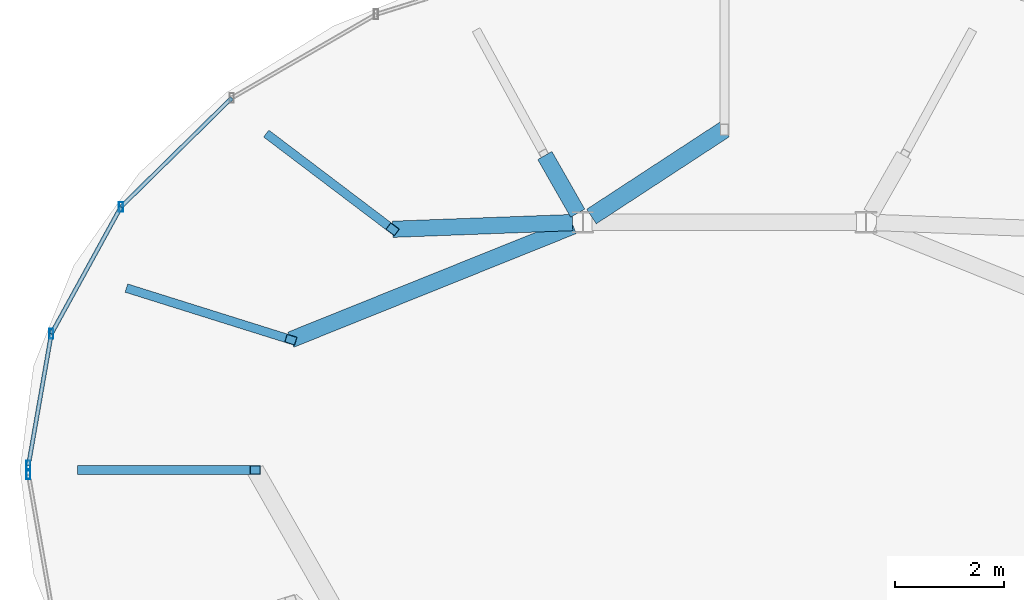
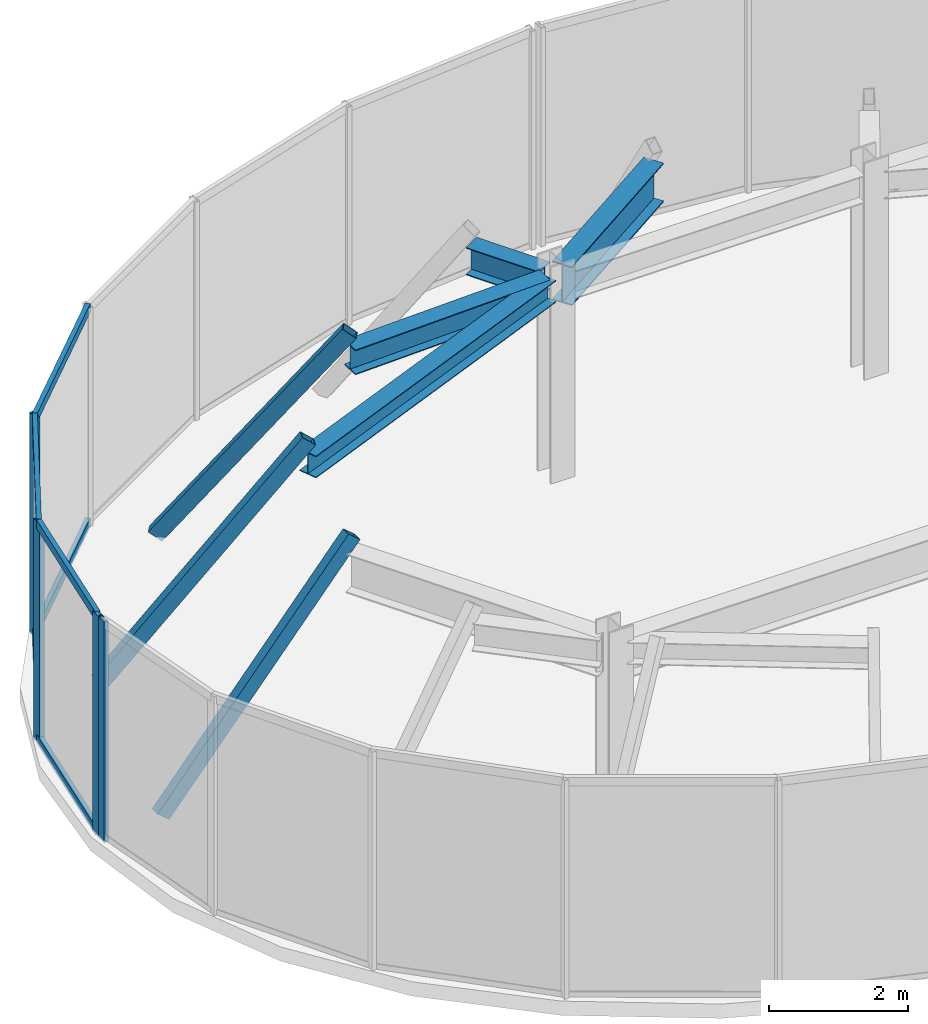
# One storey, part 4 of 10: 13 members, 4 beams, 2 elements without a shape of their own.
"""IFC4 building model written with IfcOpenShell, lengths in metres."""

from ifc_helpers import new_model, si_unit, direction, frame, origin, origin_2d, place, context, subcontext, project, spatial, hollow_rectangle, i_section, extrude, material, material_profile, profile_set, type_object, element, aggregate, save


model = new_model("IFC4")

# Units and contexts
model_context = context("Model", 3, precision=1e-05, world=origin(), true_north=direction((0.0, 1.0)))
body_context = subcontext(model_context, "Body", "Model", "MODEL_VIEW")
ifc_project = project(units=[si_unit("LENGTHUNIT", "METRE"), si_unit("AREAUNIT", "SQUARE_METRE"), si_unit("VOLUMEUNIT", "CUBIC_METRE"), si_unit("PLANEANGLEUNIT", "RADIAN"), si_unit("MASSUNIT", "GRAM", prefix="KILO")], contexts=[model_context])

# Site, building, storey
site_placement = place(None, origin())
site = spatial("IfcSite", under=ifc_project, at=site_placement, CompositionType="ELEMENT")
building_placement = place(site_placement, origin())
building = spatial("IfcBuilding", under=site, at=building_placement, Name="Vorneva Point Tower", CompositionType="ELEMENT")
storey_placement = place(building_placement, frame((0.0, 0.0, 306.800048828125)))
storey = spatial("IfcBuildingStorey", under=building, at=storey_placement, Name="C04", CompositionType="ELEMENT", Elevation=306.800048828125)

# Beams
ifc_material_1 = material(Name="Steel S355", Category="steel")
ifc_material_profile_1 = material_profile(ifc_material_1, i_section(OverallWidth=0.299072265625, OverallDepth=0.383056640625, WebThickness=0.009521484375, FlangeThickness=0.012451171875, at=origin_2d()), Name="40Sh1")
ifc_profile_set_1 = profile_set([ifc_material_profile_1], Name="Steel S355")
beam_type_1 = type_object("IfcBeamType", Name="BM-GRD-40Sh1", PredefinedType="USERDEFINED", material=ifc_profile_set_1)
beam_1_placement = place(storey_placement, frame((30.0380859375, 28.391845703125, 3.3583984375), z_axis=(0.92767633151, 0.373385355842, 0.0), x_axis=(-0.373385355842, 0.92767633151, 0.0)))
element("IfcBeam", 1, at=beam_1_placement, inside=storey, type_object=beam_type_1, Name="C04 Radial Primary Girder 08", ObjectType="GIRDER", PredefinedType="USERDEFINED", context=body_context, shape_type="SweptSolid", body=[
    extrude(i_section(OverallWidth=0.299072265625, OverallDepth=0.383056640625, WebThickness=0.009521484375, FlangeThickness=0.012451171875, at=origin_2d()), origin(), (0.0, 0.0, 1.0), 5.58984375),
])
ifc_material_profile_2 = material_profile(ifc_material_1, i_section(OverallWidth=0.299072265625, OverallDepth=0.43505859375, WebThickness=0.010498046875, FlangeThickness=0.014892578125, at=origin_2d()), Name="45Sh1")
ifc_profile_set_2 = profile_set([ifc_material_profile_2], Name="Steel S355")
beam_type_2 = type_object("IfcBeamType", Name="BM-GRD-45Sh1", PredefinedType="USERDEFINED", material=ifc_profile_set_2)
beam_2_placement = place(storey_placement, frame((31.90625, 30.41943359375, 3.33251953125), z_axis=(0.999301722896, 0.03736397486, 0.0), x_axis=(-0.03736397486, 0.999301722896, 0.0)))
element("IfcBeam", 2, at=beam_2_placement, inside=storey, type_object=beam_type_2, Name="C04 Radial Primary Girder 07", ObjectType="GIRDER", PredefinedType="USERDEFINED", context=body_context, shape_type="SweptSolid", body=[
    extrude(i_section(OverallWidth=0.299072265625, OverallDepth=0.43505859375, WebThickness=0.010498046875, FlangeThickness=0.014892578125, at=origin_2d()), origin(), (0.0, 0.0, 1.0), 3.30615234375),
])
ifc_material_profile_3 = material_profile(ifc_material_1, i_section(OverallWidth=0.300048828125, OverallDepth=0.48193359375, WebThickness=0.010986328125, FlangeThickness=0.014892578125, at=origin_2d()), Name="50Sh1")
ifc_profile_set_3 = profile_set([ifc_material_profile_3], Name="Steel S355")
beam_type_3 = type_object("IfcBeamType", Name="BM-GRD-50Sh1", PredefinedType="USERDEFINED", material=ifc_profile_set_3)
beam_3_placement = place(storey_placement, frame((34.701904296875, 31.774169921875, 3.308837890625), z_axis=(0.49540555753, -0.86866180621, 0.0), x_axis=(0.86866180621, 0.49540555753, 0.0)))
element("IfcBeam", 3, at=beam_3_placement, inside=storey, type_object=beam_type_3, Name="C04 Radial Primary Girder 06", ObjectType="GIRDER", PredefinedType="USERDEFINED", context=body_context, shape_type="SweptSolid", body=[
    extrude(i_section(OverallWidth=0.300048828125, OverallDepth=0.48193359375, WebThickness=0.010986328125, FlangeThickness=0.014892578125, at=origin_2d()), origin(), (0.0, 0.0, 1.0), 1.21923828125),
])
ifc_material_profile_4 = material_profile(ifc_material_1, i_section(OverallWidth=0.320068359375, OverallDepth=0.68310546875, WebThickness=0.012939453125, FlangeThickness=0.01904296875, at=origin_2d()), Name="70Sh1")
ifc_profile_set_4 = profile_set([ifc_material_profile_4], Name="Steel S355")
beam_type_4 = type_object("IfcBeamType", Name="BM-GRD-70Sh1", PredefinedType="USERDEFINED", material=ifc_profile_set_4)
beam_4_placement = place(storey_placement, frame((38.0, 32.25, 3.20849609375), z_axis=(-0.836975512963, -0.547240340892, 0.0), x_axis=(0.547240340892, -0.836975512963, 0.0)))
element("IfcBeam", 4, at=beam_4_placement, inside=storey, type_object=beam_type_4, Name="C04 Radial Primary Girder 05", ObjectType="GIRDER", PredefinedType="USERDEFINED", context=body_context, shape_type="SweptSolid", body=[
    extrude(i_section(OverallWidth=0.320068359375, OverallDepth=0.68310546875, WebThickness=0.012939453125, FlangeThickness=0.01904296875, at=origin_2d()), origin(), (0.0, 0.0, 1.0), 2.916259765625),
])

# Curtain wall, members
ifc_material_2 = material(Name="Pale anodised aluminium", Category="aluminium")
curtain_wall_type = type_object("IfcCurtainWallType", Name="CW-CRN-SYS", PredefinedType="NOTDEFINED", material=ifc_material_2)
curtain_wall_1_placement = place(storey_placement, origin())
curtain_wall_1 = element("IfcCurtainWall", 5, at=curtain_wall_1_placement, inside=storey, type_object=curtain_wall_type, Name="C04 Unitised Curtain Wall CW-C04-Q2", PredefinedType="NOTDEFINED")
ifc_material_profile_5 = material_profile(ifc_material_2, hollow_rectangle(XDim=0.074951171875, YDim=0.179931640625, WallThickness=0.00390625, at=origin_2d()), Name="AL-MUL 180x75x4")
ifc_profile_set_5 = profile_set([ifc_material_profile_5], Name="Pale anodised aluminium")
member_type_1 = type_object("IfcMemberType", Name="CW-MUL-180", PredefinedType="MULLION", material=ifc_profile_set_5)
member_1_placement = place(storey_placement, frame((26.918212890625, 30.830078125, -0.0400390625), z_axis=(0.0, 0.0, 1.0), x_axis=(1.0, 0.0, 0.0)))
member_1 = element("IfcMember", 6, at=member_1_placement, type_object=member_type_1, Name="CW-C04-Q2 Mullion 05", PredefinedType="MULLION", context=body_context, shape_type="SweptSolid", body=[
    extrude(hollow_rectangle(XDim=0.074951171875, YDim=0.179931640625, WallThickness=0.00390625, at=origin_2d()), origin(), (0.0, 0.0, 1.0), 3.869873046875),
])
member_2_placement = place(storey_placement, frame((25.639892578125, 28.500244140625, -0.0400390625), z_axis=(0.0, 0.0, 1.0), x_axis=(1.0, 0.0, 0.0)))
member_2 = element("IfcMember", 7, at=member_2_placement, type_object=member_type_1, Name="CW-C04-Q2 Mullion 06", PredefinedType="MULLION", context=body_context, shape_type="SweptSolid", body=[
    extrude(hollow_rectangle(XDim=0.074951171875, YDim=0.179931640625, WallThickness=0.00390625, at=origin_2d()), origin(), (0.0, 0.0, 1.0), 3.869873046875),
])
member_3_placement = place(storey_placement, frame((25.2177734375, 26.078857421875, -0.0400390625), z_axis=(0.0, 0.0, 1.0), x_axis=(1.0, 0.0, 0.0)))
member_3 = element("IfcMember", 8, at=member_3_placement, type_object=member_type_1, Name="CW-C04-Q2 Mullion 07", PredefinedType="MULLION", context=body_context, shape_type="SweptSolid", body=[
    extrude(hollow_rectangle(XDim=0.074951171875, YDim=0.179931640625, WallThickness=0.00390625, at=origin_2d()), origin(), (0.0, 0.0, 1.0), 3.869873046875),
])

# Curtain wall, member
curtain_wall_2_placement = place(storey_placement, origin())
curtain_wall_2 = element("IfcCurtainWall", 9, at=curtain_wall_2_placement, inside=storey, type_object=curtain_wall_type, Name="C04 Unitised Curtain Wall CW-C04-Q3", PredefinedType="NOTDEFINED")
member_4_placement = place(storey_placement, frame((25.2177734375, 25.921142578125, -0.0400390625), z_axis=(0.0, 0.0, 1.0), x_axis=(1.0, 0.0, 0.0)))
member_4 = element("IfcMember", 10, at=member_4_placement, type_object=member_type_1, Name="CW-C04-Q3 Mullion 01", PredefinedType="MULLION", context=body_context, shape_type="SweptSolid", body=[
    extrude(hollow_rectangle(XDim=0.074951171875, YDim=0.179931640625, WallThickness=0.00390625, at=origin_2d()), origin(), (0.0, 0.0, 1.0), 3.869873046875),
])
aggregate(curtain_wall_2, [member_4])

# Member
ifc_material_profile_6 = material_profile(ifc_material_2, hollow_rectangle(XDim=0.074951171875, YDim=0.14990234375, WallThickness=0.00390625, at=origin_2d()), Name="AL-TRN 150x75x4")
ifc_profile_set_6 = profile_set([ifc_material_profile_6], Name="Pale anodised aluminium")
member_type_2 = type_object("IfcMemberType", Name="CW-TRN-150", PredefinedType="USERDEFINED", material=ifc_profile_set_6)
member_5_placement = place(storey_placement, frame((28.951904296875, 32.830810546875, 0.02001953125), z_axis=(-0.712859660138, -0.701306712465, 0.0), x_axis=(0.701306712465, -0.712859660138, 0.0)))
member_5 = element("IfcMember", 11, at=member_5_placement, type_object=member_type_2, Name="CW-C04-Q2 Transom 04.1", ObjectType="TRANSOM", PredefinedType="USERDEFINED", context=body_context, shape_type="SweptSolid", body=[
    extrude(hollow_rectangle(XDim=0.074951171875, YDim=0.14990234375, WallThickness=0.00390625, at=origin_2d()), origin(), (0.0, 0.0, 1.0), 2.852783203125),
])

member_6_placement = place(storey_placement, frame((28.951904296875, 32.830810546875, 3.780029296875), z_axis=(-0.712859660138, -0.701306712465, 0.0), x_axis=(0.701306712465, -0.712859660138, 0.0)))
member_6 = element("IfcMember", 12, at=member_6_placement, type_object=member_type_2, Name="CW-C04-Q2 Transom 04.2", ObjectType="TRANSOM", PredefinedType="USERDEFINED", context=body_context, shape_type="SweptSolid", body=[
    extrude(hollow_rectangle(XDim=0.074951171875, YDim=0.14990234375, WallThickness=0.00390625, at=origin_2d()), origin(), (0.0, 0.0, 1.0), 2.852783203125),
])

member_7_placement = place(storey_placement, frame((26.918212890625, 30.830078125, 0.02001953125), z_axis=(-0.481026259401, -0.876706186682, 0.0), x_axis=(0.876706186682, -0.481026259401, 0.0)))
member_7 = element("IfcMember", 13, at=member_7_placement, type_object=member_type_2, Name="CW-C04-Q2 Transom 05.1", ObjectType="TRANSOM", PredefinedType="USERDEFINED", context=body_context, shape_type="SweptSolid", body=[
    extrude(hollow_rectangle(XDim=0.074951171875, YDim=0.14990234375, WallThickness=0.00390625, at=origin_2d()), origin(), (0.0, 0.0, 1.0), 2.657470703125),
])

member_8_placement = place(storey_placement, frame((26.918212890625, 30.830078125, 3.780029296875), z_axis=(-0.481026259401, -0.876706186682, 0.0), x_axis=(0.876706186682, -0.481026259401, 0.0)))
member_8 = element("IfcMember", 14, at=member_8_placement, type_object=member_type_2, Name="CW-C04-Q2 Transom 05.2", ObjectType="TRANSOM", PredefinedType="USERDEFINED", context=body_context, shape_type="SweptSolid", body=[
    extrude(hollow_rectangle(XDim=0.074951171875, YDim=0.14990234375, WallThickness=0.00390625, at=origin_2d()), origin(), (0.0, 0.0, 1.0), 2.657470703125),
])

member_9_placement = place(storey_placement, frame((25.639892578125, 28.500244140625, 0.02001953125), z_axis=(-0.171739386977, -0.985142417603, 0.0), x_axis=(0.985142417603, -0.171739386977, 0.0)))
member_9 = element("IfcMember", 15, at=member_9_placement, type_object=member_type_2, Name="CW-C04-Q2 Transom 06.1", ObjectType="TRANSOM", PredefinedType="USERDEFINED", context=body_context, shape_type="SweptSolid", body=[
    extrude(hollow_rectangle(XDim=0.074951171875, YDim=0.14990234375, WallThickness=0.00390625, at=origin_2d()), origin(), (0.0, 0.0, 1.0), 2.4580078125),
])

member_10_placement = place(storey_placement, frame((25.639892578125, 28.500244140625, 3.780029296875), z_axis=(-0.171739386977, -0.985142417603, 0.0), x_axis=(0.985142417603, -0.171739386977, 0.0)))
member_10 = element("IfcMember", 16, at=member_10_placement, type_object=member_type_2, Name="CW-C04-Q2 Transom 06.2", ObjectType="TRANSOM", PredefinedType="USERDEFINED", context=body_context, shape_type="SweptSolid", body=[
    extrude(hollow_rectangle(XDim=0.074951171875, YDim=0.14990234375, WallThickness=0.00390625, at=origin_2d()), origin(), (0.0, 0.0, 1.0), 2.4580078125),
])

aggregate(curtain_wall_1, [member_1, member_2, member_3, member_5, member_6, member_7, member_8, member_9, member_10])

# Members
ifc_material_profile_7 = material_profile(ifc_material_1, hollow_rectangle(XDim=0.159912109375, YDim=0.25, WallThickness=0.010009765625, at=origin_2d()), Name="PP 250x160x10")
ifc_profile_set_7 = profile_set([ifc_material_profile_7], Name="Steel S355")
member_type_3 = type_object("IfcMemberType", Name="MBR-CRN-PP250", PredefinedType="CHORD", material=ifc_profile_set_7)
member_11_placement = place(storey_placement, frame((29.666015625, 32.116455078125, 0.0), z_axis=(0.473982748599, -0.359051229894, 0.80400408478), x_axis=(0.603829254859, 0.797113687611, 0.0)))
element("IfcMember", 17, at=member_11_placement, inside=storey, type_object=member_type_3, Name="Crown Tapered Frame Rib C04-07", PredefinedType="CHORD", context=body_context, shape_type="SweptSolid", body=[
    extrude(hollow_rectangle(XDim=0.159912109375, YDim=0.25, WallThickness=0.010009765625, at=origin_2d()), origin(), (0.0, 0.0, 1.0), 4.726318359375),
])
member_12_placement = place(storey_placement, frame((27.111083984375, 29.310302734375, 0.0), z_axis=(0.599331651176, -0.188062863602, 0.778096350867), x_axis=(0.299394058413, 0.954129549792, 0.0)))
element("IfcMember", 18, at=member_12_placement, inside=storey, type_object=member_type_3, Name="Crown Tapered Frame Rib C04-08", PredefinedType="CHORD", context=body_context, shape_type="SweptSolid", body=[
    extrude(hollow_rectangle(XDim=0.159912109375, YDim=0.25, WallThickness=0.010009765625, at=origin_2d()), origin(), (0.0, 0.0, 1.0), 4.8837890625),
])
member_13_placement = place(storey_placement, frame((26.214111328125, 26.0, 0.0), z_axis=(0.640334857209, 0.0, 0.76809587334), x_axis=(0.0, 1.0, 0.0)))
element("IfcMember", 19, at=member_13_placement, inside=storey, type_object=member_type_3, Name="Crown Tapered Frame Rib C04-09", PredefinedType="CHORD", context=body_context, shape_type="SweptSolid", body=[
    extrude(hollow_rectangle(XDim=0.159912109375, YDim=0.25, WallThickness=0.010009765625, at=origin_2d()), origin(), (0.0, 0.0, 1.0), 4.947265625),
])

save(model, "model.ifc")
